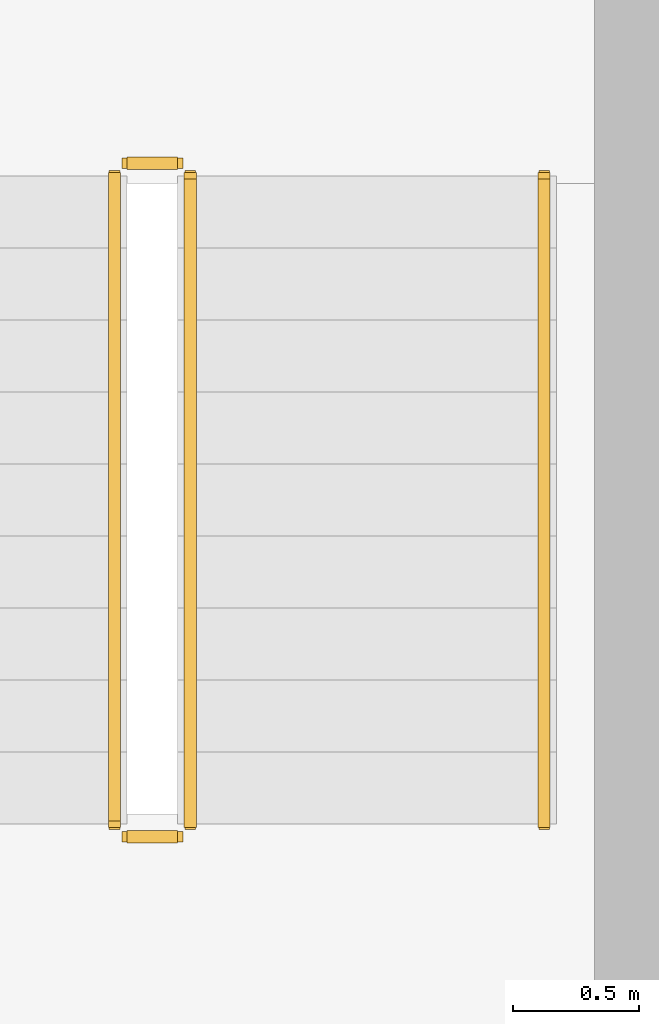
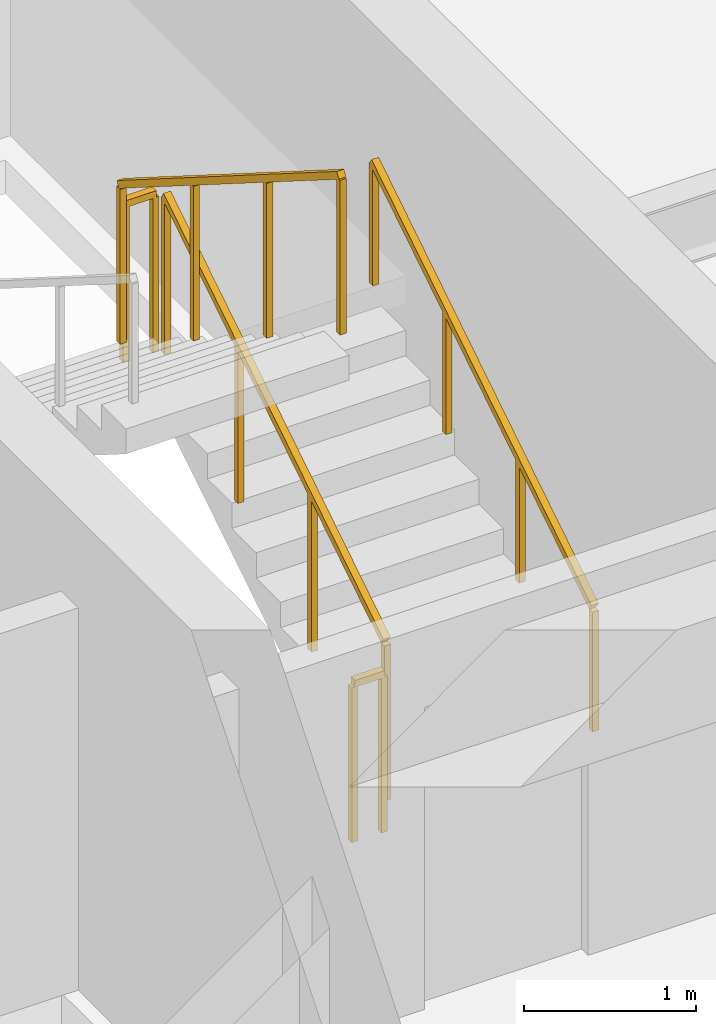
# One storey, part 23 of 23: 5 railings.
"""IFC4 building model written with IfcOpenShell, lengths in metres."""

from ifc_helpers import new_model, si_unit, direction, frame, origin, origin_2d, place, context, subcontext, project, spatial, rectangle, extrude, material, type_object, element, save


model = new_model("IFC4")

# Units and contexts
model_context = context("Model", 3, precision=1e-05, world=origin(), true_north=direction((0.0, 1.0)))
body_context = subcontext(model_context, "Body", "Model", "MODEL_VIEW")
ifc_project = project(units=[si_unit("LENGTHUNIT", "METRE"), si_unit("AREAUNIT", "SQUARE_METRE"), si_unit("VOLUMEUNIT", "CUBIC_METRE"), si_unit("PLANEANGLEUNIT", "RADIAN"), si_unit("MASSUNIT", "GRAM", prefix="KILO")], contexts=[model_context])

# Site, building, storey
site_placement = place(None, origin())
site = spatial("IfcSite", under=ifc_project, at=site_placement, CompositionType="ELEMENT")
building_placement = place(site_placement, origin())
building = spatial("IfcBuilding", under=site, at=building_placement, Name="Sarneth Arch Tower", CompositionType="ELEMENT")
storey_placement = place(building_placement, frame((0.0, 0.0, 242.39990234375)))
storey = spatial("IfcBuildingStorey", under=building, at=storey_placement, Name="L62", CompositionType="ELEMENT", Elevation=242.39990234375)

# Railings
ifc_material_1 = material(Name="Brushed Stainless Steel 304 tubular handrail", Category="steel")
railing_type_1 = type_object("IfcRailingType", Name="RAIL-HANDRAIL-900", PredefinedType="HANDRAIL", material=ifc_material_1)
railing_1_placement = place(storey_placement, frame((58.60009765625, 41.449951171875, 0.18017578125)))
element("IfcRailing", 1, at=railing_1_placement, inside=storey, type_object=railing_type_1, Name="L62 ST-2 stair handrail 1", PredefinedType="HANDRAIL", context=body_context, shape_type="SweptSolid", body=[
    extrude(rectangle(XDim=0.048095703125, YDim=0.048095703125, at=origin_2d()), frame((0.0, 0.0, 0.8759765625), z_axis=(0.0, 0.845502289212, 0.533971796014), x_axis=(-1.0, 0.0, 0.0)), (0.0, 0.0, 1.0), 3.03369140625),
    extrude(rectangle(XDim=0.0419921875, YDim=0.0419921875, at=origin_2d()), origin(), (0.0, 0.0, 1.0), 0.851806640625),
    extrude(rectangle(XDim=0.0419921875, YDim=0.0419921875, at=origin_2d()), frame((0.0, 0.85498046875, 0.5400390625)), (0.0, 0.0, 1.0), 0.851806640625),
    extrude(rectangle(XDim=0.0419921875, YDim=0.0419921875, at=origin_2d()), frame((0.0, 1.7099609375, 1.079833984375)), (0.0, 0.0, 1.0), 0.851806640625),
    extrude(rectangle(XDim=0.0419921875, YDim=0.0419921875, at=origin_2d()), frame((0.0, 2.56494140625, 1.619873046875)), (0.0, 0.0, 1.0), 0.851806640625),
])
ifc_material_2 = material(Name="Painted Steel S275 stair well guard", Category="steel")
railing_type_2 = type_object("IfcRailingType", Name="RAIL-STAIR-GUARD", PredefinedType="GUARDRAIL", material=ifc_material_2)
railing_2_placement = place(storey_placement, frame((57.199951171875, 41.449951171875, 0.18017578125)))
element("IfcRailing", 2, at=railing_2_placement, inside=storey, type_object=railing_type_2, Name="L62 ST-2 stair guard 1", PredefinedType="GUARDRAIL", context=body_context, shape_type="SweptSolid", body=[
    extrude(rectangle(XDim=0.048095703125, YDim=0.048095703125, at=origin_2d()), frame((0.0, 0.0, 1.1259765625), z_axis=(0.0, 0.845502289212, 0.533971796014), x_axis=(-1.0, 0.0, 0.0)), (0.0, 0.0, 1.0), 3.03369140625),
    extrude(rectangle(XDim=0.0419921875, YDim=0.0419921875, at=origin_2d()), origin(), (0.0, 0.0, 1.0), 1.101806640625),
    extrude(rectangle(XDim=0.0419921875, YDim=0.0419921875, at=origin_2d()), frame((0.0, 0.85498046875, 0.5400390625)), (0.0, 0.0, 1.0), 1.101806640625),
    extrude(rectangle(XDim=0.0419921875, YDim=0.0419921875, at=origin_2d()), frame((0.0, 1.7099609375, 1.079833984375)), (0.0, 0.0, 1.0), 1.101806640625),
    extrude(rectangle(XDim=0.0419921875, YDim=0.0419921875, at=origin_2d()), frame((0.0, 2.56494140625, 1.619873046875)), (0.0, 0.0, 1.0), 1.101806640625),
])
railing_3_placement = place(storey_placement, frame((57.14990234375, 44.06494140625, 1.800048828125)))
element("IfcRailing", 3, at=railing_3_placement, inside=storey, type_object=railing_type_2, Name="L62 ST-2 stair guard 2", PredefinedType="GUARDRAIL", context=body_context, shape_type="SweptSolid", body=[
    extrude(rectangle(XDim=0.048095703125, YDim=0.048095703125, at=origin_2d()), frame((0.0, 0.0, 1.1259765625), z_axis=(-1.0, 0.0, 0.0), x_axis=(0.0, -1.0, 0.0)), (0.0, 0.0, 1.0), 0.199951171875),
    extrude(rectangle(XDim=0.0419921875, YDim=0.0419921875, at=origin_2d()), origin(), (0.0, 0.0, 1.0), 1.101806640625),
    extrude(rectangle(XDim=0.0419921875, YDim=0.0419921875, at=origin_2d()), frame((-0.199951171875, 0.0, 0.0)), (0.0, 0.0, 1.0), 1.101806640625),
])
railing_4_placement = place(storey_placement, frame((56.89990234375, 44.014892578125, 1.97998046875)))
element("IfcRailing", 4, at=railing_4_placement, inside=storey, type_object=railing_type_2, Name="L62 ST-2 stair guard 3", PredefinedType="GUARDRAIL", context=body_context, shape_type="SweptSolid", body=[
    extrude(rectangle(XDim=0.048095703125, YDim=0.048095703125, at=origin_2d()), frame((0.0, 0.0, 1.1259765625), z_axis=(0.0, -0.845465955043, 0.534029323973), x_axis=(1.0, 0.0, 0.0)), (0.0, 0.0, 1.0), 3.03369140625),
    extrude(rectangle(XDim=0.0419921875, YDim=0.0419921875, at=origin_2d()), origin(), (0.0, 0.0, 1.0), 1.101806640625),
    extrude(rectangle(XDim=0.0419921875, YDim=0.0419921875, at=origin_2d()), frame((0.0, -0.85498046875, 0.5400390625)), (0.0, 0.0, 1.0), 1.101806640625),
    extrude(rectangle(XDim=0.0419921875, YDim=0.0419921875, at=origin_2d()), frame((0.0, -1.7099609375, 1.080078125)), (0.0, 0.0, 1.0), 1.101806640625),
    extrude(rectangle(XDim=0.0419921875, YDim=0.0419921875, at=origin_2d()), frame((0.0, -2.56494140625, 1.6201171875)), (0.0, 0.0, 1.0), 1.101806640625),
])
railing_5_placement = place(storey_placement, frame((57.14990234375, 41.39990234375, 0.0)))
element("IfcRailing", 5, at=railing_5_placement, inside=storey, type_object=railing_type_2, Name="L62 ST-2 stair guard 4", PredefinedType="GUARDRAIL", context=body_context, shape_type="SweptSolid", body=[
    extrude(rectangle(XDim=0.048095703125, YDim=0.048095703125, at=origin_2d()), frame((0.0, 0.0, 1.1259765625), z_axis=(-1.0, 0.0, 0.0), x_axis=(0.0, -1.0, 0.0)), (0.0, 0.0, 1.0), 0.199951171875),
    extrude(rectangle(XDim=0.0419921875, YDim=0.0419921875, at=origin_2d()), origin(), (0.0, 0.0, 1.0), 1.101806640625),
    extrude(rectangle(XDim=0.0419921875, YDim=0.0419921875, at=origin_2d()), frame((-0.199951171875, 0.0, 0.0)), (0.0, 0.0, 1.0), 1.101806640625),
])

save(model, "model.ifc")
